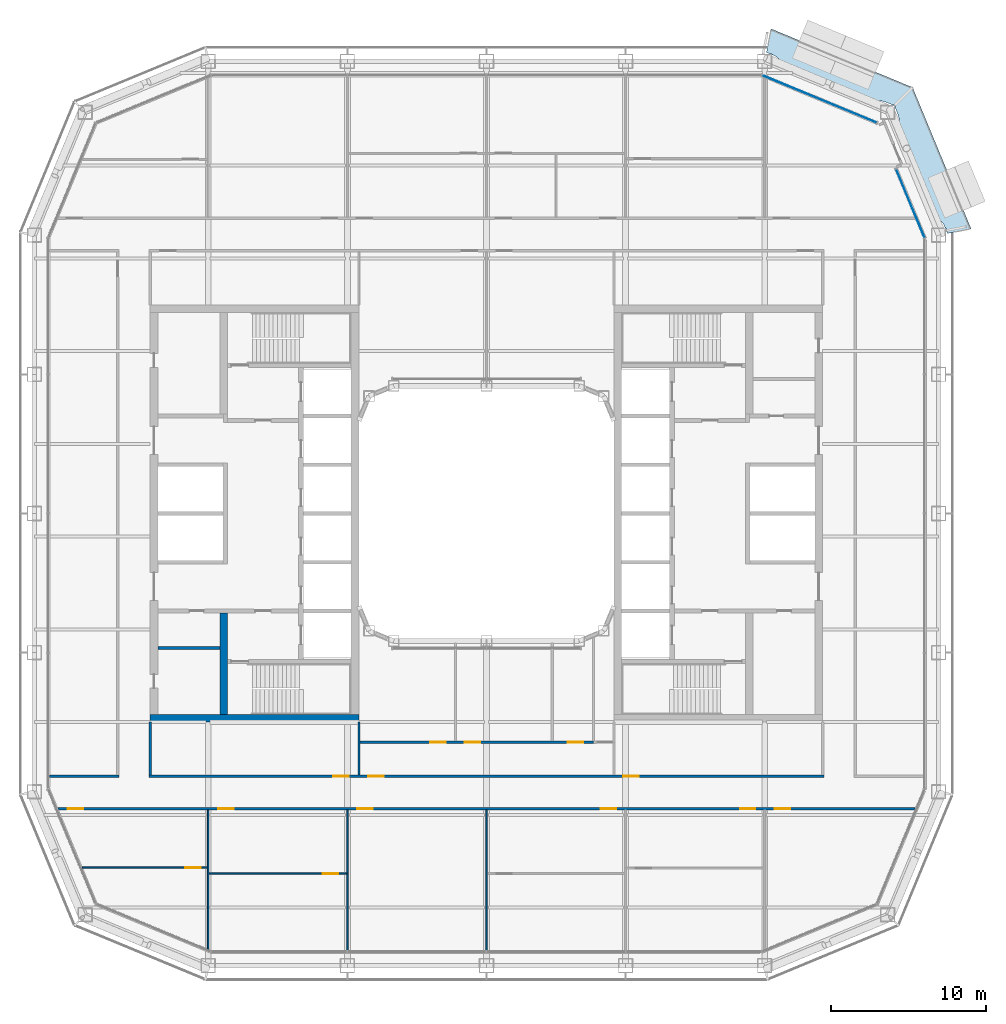
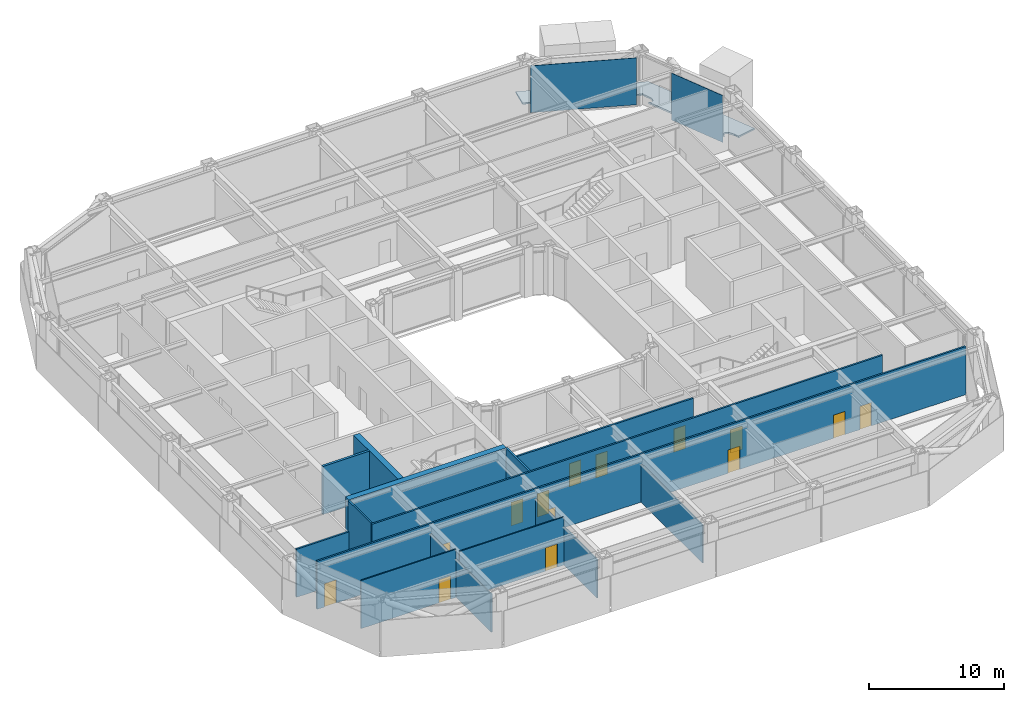
# One storey, part 11 of 24: 14 doors, 14 walls, 2 plates, 1 slab, 14 openings, 2 elements without a shape of their own.
"""IFC4 building model written with IfcOpenShell, lengths in metres."""

import ifcopenshell
import ifcopenshell.guid

model = None  # the IFC model being written
_history = None  # IfcOwnerHistory: only IFC2X3 demands one
_inside = {}  # id of a spatial element -> (the spatial element, [elements in it])
_under = {}  # id of a project, library or spatial element -> (it, [spatial elements below it])
_declared = {}  # id of a project -> (the project, [libraries it declares])
_typed = {}  # id of a type object -> (the type object, [elements of that type])
_made_of = {}  # id of a material, layer set ... -> (it, [elements and type objects made of it])


def new_model(schema):
    """Start an empty IFC model of exactly this schema.

    Asked for "IFC4X3", IfcOpenShell would pick the latest addendum, in which some entities
    have other attributes; the version numbers below select the first issue.
    IFC2X3 requires an IfcOwnerHistory on every rooted entity: one is made here for all.
    """
    global model, _history
    if schema == "IFC4X3":
        model = ifcopenshell.file(schema_version=(4, 3, 0, 0))
    else:
        model = ifcopenshell.file(schema=schema)
    _inside.clear()
    _under.clear()
    _declared.clear()
    _typed.clear()
    _made_of.clear()
    _history = None
    if model.schema == "IFC2X3":
        org = make("IfcOrganization", Name="unknown")
        user = make(
            "IfcPersonAndOrganization",
            ThePerson=make("IfcPerson", FamilyName="unknown"),
            TheOrganization=org,
        )
        app = make(
            "IfcApplication",
            ApplicationDeveloper=org,
            Version="unknown",
            ApplicationFullName="unknown",
            ApplicationIdentifier="unknown",
        )
        _history = make(
            "IfcOwnerHistory",
            OwningUser=user,
            OwningApplication=app,
            ChangeAction="ADDED",
            CreationDate=0,
        )
    return model


def make(cls, **values):
    """One entity of the class cls with the attributes given. An attribute that is None is left unset."""
    return model.create_entity(
        cls, **{name: value for name, value in values.items() if value is not None}
    )


def rooted(cls, **values):
    """An entity with a GlobalId (a new one), such as an element, a storey or a relation."""
    return make(cls, GlobalId=ifcopenshell.guid.new(), OwnerHistory=_history, **values)


def si_unit(unit_type, name, prefix=None):
    """IfcSIUnit, for example si_unit("LENGTHUNIT", "METRE", prefix="MILLI")."""
    return make("IfcSIUnit", UnitType=unit_type, Prefix=prefix, Name=name)


def assignment(units):
    """IfcUnitAssignment: the units of a project."""
    return None if units is None else make("IfcUnitAssignment", Units=units)


def point(xyz):
    """IfcCartesianPoint."""
    return None if xyz is None else make("IfcCartesianPoint", Coordinates=xyz)


def direction(xyz):
    """IfcDirection."""
    return None if xyz is None else make("IfcDirection", DirectionRatios=xyz)


def frame(location, z_axis=None, x_axis=None):
    """IfcAxis2Placement3D, a coordinate frame: its origin and axes. An axis left out is left unset."""
    return make(
        "IfcAxis2Placement3D",
        Location=point(location),
        Axis=direction(z_axis),
        RefDirection=direction(x_axis),
    )


def frame_2d(location, x_axis=None):
    """IfcAxis2Placement2D, a coordinate frame in the plane: its origin and x axis."""
    return make(
        "IfcAxis2Placement2D", Location=point(location), RefDirection=direction(x_axis)
    )


def origin():
    """The frame at (0, 0, 0) with its axes left unset."""
    return frame((0.0, 0.0, 0.0))


def origin_2d():
    """The frame at (0, 0) in the plane with its x axis left unset."""
    return frame_2d((0.0, 0.0))


def place(relative_to, where):
    """IfcLocalPlacement: puts the frame where relative to a parent placement (None: the world)."""
    return make(
        "IfcLocalPlacement", PlacementRelTo=relative_to, RelativePlacement=where
    )


def context(
    kind, dimensions, precision=None, world=None, true_north=None, identifier=None
):
    """IfcGeometricRepresentationContext, for example the 3D "Model" context."""
    return make(
        "IfcGeometricRepresentationContext",
        ContextIdentifier=identifier,
        ContextType=kind,
        CoordinateSpaceDimension=dimensions,
        Precision=precision,
        WorldCoordinateSystem=world,
        TrueNorth=true_north,
    )


def subcontext(parent, identifier, kind, view, scale=None):
    """IfcGeometricRepresentationSubContext, for example "Body" below "Model"."""
    return make(
        "IfcGeometricRepresentationSubContext",
        ContextIdentifier=identifier,
        ContextType=kind,
        ParentContext=parent,
        TargetScale=scale,
        TargetView=view,
    )


def project(units=None, contexts=None):
    """IfcProject with its units and contexts."""
    return rooted(
        "IfcProject",
        Name="project",
        RepresentationContexts=contexts,
        UnitsInContext=assignment(units),
    )


def spatial(cls, under=None, at=None, **own):
    """A site, building, storey or space (cls), placed at a placement, below another one or the project."""
    s = rooted(cls, ObjectPlacement=at, **own)
    if under is not None:
        _under.setdefault(under.id(), (under, []))[1].append(s)
    return s


def polyline(points):
    """IfcPolyline through the points."""
    return make("IfcPolyline", Points=[point(p) for p in points])


def profile(cls, at=None, kind="AREA", **sizes):
    """A parametric profile (cls). Its sizes go by their IFC names, for example OverallWidth=200.0."""
    return make(cls, ProfileType=kind, Position=at, **sizes)


def rectangle(**sizes):
    """IfcRectangleProfileDef."""
    return profile("IfcRectangleProfileDef", **sizes)


def outline(outer, holes=None, kind="AREA"):
    """IfcArbitraryClosedProfileDef: a profile drawn as a closed curve; with holes, ...WithVoids."""
    if holes is None:
        return make("IfcArbitraryClosedProfileDef", ProfileType=kind, OuterCurve=outer)
    return make(
        "IfcArbitraryProfileDefWithVoids",
        ProfileType=kind,
        OuterCurve=outer,
        InnerCurves=holes,
    )


def extrude(swept, where, along, depth):
    """IfcExtrudedAreaSolid: the profile swept, set in the frame where, extruded along a direction by depth."""
    return make(
        "IfcExtrudedAreaSolid",
        SweptArea=swept,
        Position=where,
        ExtrudedDirection=direction(along),
        Depth=depth,
    )


def shape(context_of_items, identifier, shape_type, items):
    """IfcShapeRepresentation: the items that make up one representation, for example the "Body"."""
    return make(
        "IfcShapeRepresentation",
        ContextOfItems=context_of_items,
        RepresentationIdentifier=identifier,
        RepresentationType=shape_type,
        Items=items,
    )


def material(Name=None, Category=None):
    """IfcMaterial."""
    return make("IfcMaterial", Name=Name, Category=Category)


def layer(
    of_material, thickness, ventilated=None, Name=None, Category=None, Priority=None
):
    """IfcMaterialLayer: one layer of a wall or slab, of a material (None: an air gap)."""
    return make(
        "IfcMaterialLayer",
        Material=of_material,
        LayerThickness=thickness,
        IsVentilated=ventilated,
        Name=Name,
        Category=Category,
        Priority=Priority,
    )


def layer_set(layers, Name=None):
    """IfcMaterialLayerSet."""
    return make("IfcMaterialLayerSet", MaterialLayers=layers, LayerSetName=Name)


def made_of(thing, what):
    """Note that an element or type object is made of a material, layer set ...; save() writes the relation."""
    if what is not None:
        _made_of.setdefault(what.id(), (what, []))[1].append(thing)
    return thing


def type_object(cls, material=None, **own):
    """A type object (cls), such as IfcWallType, which elements share."""
    return made_of(rooted(cls, **own), material)


def element(
    cls,
    number,
    at=None,
    inside=None,
    cuts=None,
    type_object=None,
    material=None,
    context=None,
    identifier="Body",
    shape_type=None,
    held_by="IfcProductDefinitionShape",
    body=None,
    shapes=None,
    **own,
):
    """One element of the class cls, such as IfcWall. Its Tag is "e" and its number.

    at: its placement. inside: the storey or other place that contains it. cuts: it is an
    opening in that element (IfcRelVoidsElement). A single representation is given by context,
    identifier, shape_type and body (its items); several are given by shapes. held_by: the class
    of the entity that holds the representations. save() writes the other relations.
    """
    e = rooted(cls, Tag="e%d" % number, ObjectPlacement=at, **own)
    if body is not None:
        shapes = [shape(context, identifier, shape_type, body)]
    if shapes is not None:
        e.Representation = make(held_by, Representations=shapes)
    if inside is not None:
        _inside.setdefault(inside.id(), (inside, []))[1].append(e)
    if cuts is not None:
        rooted(
            "IfcRelVoidsElement", RelatingBuildingElement=cuts, RelatedOpeningElement=e
        )
    if type_object is not None:
        _typed.setdefault(type_object.id(), (type_object, []))[1].append(e)
    return made_of(e, material)


def fill(opening, filler):
    """IfcRelFillsElement: the door or window that sits in an opening."""
    return rooted(
        "IfcRelFillsElement",
        RelatingOpeningElement=opening,
        RelatedBuildingElement=filler,
    )


def aggregate(whole, parts):
    """IfcRelAggregates: a whole, such as a stair, and the parts it consists of."""
    return rooted("IfcRelAggregates", RelatingObject=whole, RelatedObjects=parts)


def save(model, path):
    """Write the relations noted so far, then the file.

    IfcRelAggregates (storeys below a building ...), IfcRelContainedInSpatialStructure (elements
    in a storey), IfcRelDefinesByType, IfcRelAssociatesMaterial and IfcRelDeclares: one each for
    every whole, place, type object, material and project.
    """
    for whole, parts in _under.values():
        aggregate(whole, parts)
    for where, things in _inside.values():
        rooted(
            "IfcRelContainedInSpatialStructure",
            RelatedElements=things,
            RelatingStructure=where,
        )
    for kind, things in _typed.values():
        rooted("IfcRelDefinesByType", RelatedObjects=things, RelatingType=kind)
    for what, things in _made_of.values():
        rooted("IfcRelAssociatesMaterial", RelatedObjects=things, RelatingMaterial=what)
    for by, libraries in _declared.values():
        rooted("IfcRelDeclares", RelatingContext=by, RelatedDefinitions=libraries)
    model.write(path)


model = new_model("IFC4")

# Units and contexts
model_context = context("Model", 3, precision=1e-05, world=origin(), true_north=direction((0.0, 1.0)))
body_context = subcontext(model_context, "Body", "Model", "MODEL_VIEW")
ifc_project = project(units=[si_unit("LENGTHUNIT", "METRE"), si_unit("AREAUNIT", "SQUARE_METRE"), si_unit("VOLUMEUNIT", "CUBIC_METRE"), si_unit("PLANEANGLEUNIT", "RADIAN"), si_unit("MASSUNIT", "GRAM", prefix="KILO")], contexts=[model_context])

# Site, building, storey
site_placement = place(None, origin())
site = spatial("IfcSite", under=ifc_project, at=site_placement, CompositionType="ELEMENT")
building_placement = place(site_placement, origin())
building = spatial("IfcBuilding", under=site, at=building_placement, Name="Siwar Civic Tower", CompositionType="ELEMENT")
storey_placement = place(building_placement, frame((0.0, 0.0, 113.699951171875)))
storey = spatial("IfcBuildingStorey", under=building, at=storey_placement, Name="L24", CompositionType="ELEMENT", Elevation=113.699951171875)

# Slab
ifc_material_1 = material(Name="Concrete C40/50", Category="concrete")
ifc_layer_1 = layer(ifc_material_1, 0.14990234375)
ifc_layer_set_1 = layer_set([ifc_layer_1], Name="Concrete C40/50")
slab_type = type_object("IfcSlabType", Name="ENV-BALCONY DECK 150", PredefinedType="FLOOR", material=ifc_layer_set_1)
slab_placement = place(storey_placement, frame((0.0, 0.0, -0.1494140625)))
element("IfcSlab", 1, at=slab_placement, inside=storey, type_object=slab_type, Name="Tree balcony deck NE", PredefinedType="FLOOR", context=body_context, shape_type="SweptSolid", body=[
    extrude(outline(polyline([(26.43310546875, 26.263427734375), (26.435546875, 26.258056640625), (26.435546875, 26.258056640625), (26.4423828125, 26.24169921875), (26.575439453125, 25.921875), (26.585693359375, 25.897216796875), (26.589111328125, 25.88916015625), (26.58984375, 25.88720703125), (26.617431640625, 25.81494140625), (26.619140625, 25.81005859375), (26.639404296875, 25.74462890625), (26.640625, 25.740234375), (26.65673828125, 25.673583984375), (26.65771484375, 25.669189453125), (26.669921875, 25.601806640625), (26.67041015625, 25.59765625), (26.6787109375, 25.529541015625), (26.67919921875, 25.523681640625), (26.67919921875, 25.517578125), (26.6748046875, 25.406005859375), (26.674072265625, 25.397216796875), (26.672119140625, 25.388671875), (26.66015625, 25.345703125), (26.65869140625, 25.34130859375), (26.64404296875, 25.299072265625), (26.640869140625, 25.29150390625), (26.63720703125, 25.284423828125), (26.61669921875, 25.251220703125), (26.614501953125, 25.247802734375), (26.59228515625, 25.216064453125), (26.58740234375, 25.209716796875), (26.581787109375, 25.203857421875), (26.575439453125, 25.19873046875), (26.56884765625, 25.1943359375), (26.561767578125, 25.190673828125), (26.531494140625, 25.177001953125), (26.52734375, 25.17529296875), (26.496337890625, 25.16357421875), (26.488525390625, 25.1611328125), (26.480712890625, 25.159423828125), (26.47265625, 25.15869140625), (26.464599609375, 25.15869140625), (26.456787109375, 25.15966796875), (26.418701171875, 25.166259765625), (26.41455078125, 25.167236328125), (26.376708984375, 25.176025390625), (26.368896484375, 25.17822265625), (26.361328125, 25.181396484375), (26.321044921875, 25.20068359375), (26.31689453125, 25.202880859375), (26.27783203125, 25.224609375), (26.2705078125, 25.2294921875), (26.263671875, 25.23486328125), (26.246826171875, 25.25048828125), (28.949951171875, 18.724609375), (28.951904296875, 18.77490234375), (28.95263671875, 18.783447265625), (28.95458984375, 18.7919921875), (28.966552734375, 18.835205078125), (28.968017578125, 18.839599609375), (28.982666015625, 18.8818359375), (28.98583984375, 18.889404296875), (28.98974609375, 18.896484375), (29.010009765625, 18.9296875), (29.013916015625, 18.935302734375), (29.018310546875, 18.940673828125), (29.023193359375, 18.945556640625), (29.048583984375, 18.968994140625), (29.052001953125, 18.971923828125), (29.078857421875, 18.99365234375), (29.084716796875, 18.998046875), (29.0908203125, 19.001708984375), (29.097412109375, 19.0048828125), (29.104248046875, 19.00732421875), (29.111083984375, 19.009033203125), (29.118408203125, 19.01025390625), (29.15283203125, 19.013671875), (29.1572265625, 19.01416015625), (29.19189453125, 19.015625), (29.19873046875, 19.015625), (29.20556640625, 19.01513671875), (29.21240234375, 19.013671875), (29.25, 19.0048828125), (29.2578125, 19.002685546875), (29.265380859375, 18.99951171875), (29.305908203125, 18.980224609375), (29.309814453125, 18.97802734375), (29.348876953125, 18.956298828125), (29.356201171875, 18.951416015625), (29.363037109375, 18.946044921875), (29.4453125, 18.870361328125), (29.44970703125, 18.865966796875), (29.453369140625, 18.861572265625), (29.495849609375, 18.8076171875), (29.498291015625, 18.80419921875), (29.53759765625, 18.748046875), (29.5400390625, 18.744384765625), (29.575927734375, 18.68603515625), (29.578369140625, 18.681884765625), (29.610595703125, 18.62158203125), (29.61279296875, 18.616943359375), (29.64453125, 18.54638671875), (29.645263671875, 18.54443359375), (29.665771484375, 18.4951171875), (29.674072265625, 18.47509765625), (29.72509765625, 18.47509765625), (29.72509765625, 18.352783203125), (29.740966796875, 18.314697265625), (29.775146484375, 18.232666015625), (29.788818359375, 18.19970703125), (29.798828125, 18.175048828125), (29.798828125, 18.175048828125), (29.8017578125, 18.16748046875), (29.807373046875, 18.148193359375), (29.80908203125, 18.140625), (29.81005859375, 18.1328125), (29.8115234375, 18.1123046875), (29.8115234375, 18.11181640625), (31.35009765625, 18.417724609375), (27.562255859375, 27.562255859375), (18.417724609375, 31.35009765625), (18.111083984375, 29.80810546875), (18.114013671875, 29.808349609375), (18.13037109375, 29.80859375), (18.136962890625, 29.808349609375), (18.1435546875, 29.8076171875), (18.150146484375, 29.80615234375), (18.1650390625, 29.80224609375), (18.175048828125, 29.798828125), (18.19970703125, 29.788818359375), (18.279052734375, 29.755615234375), (18.314697265625, 29.740966796875), (18.352783203125, 29.72509765625), (18.47509765625, 29.72509765625), (18.47509765625, 29.674072265625), (18.4951171875, 29.665771484375), (18.54443359375, 29.645263671875), (18.54638671875, 29.64453125), (18.616943359375, 29.61279296875), (18.62158203125, 29.610595703125), (18.681884765625, 29.578369140625), (18.68603515625, 29.575927734375), (18.744384765625, 29.5400390625), (18.748046875, 29.53759765625), (18.80419921875, 29.498291015625), (18.8076171875, 29.495849609375), (18.861572265625, 29.453369140625), (18.865966796875, 29.44970703125), (18.870361328125, 29.4453125), (18.946044921875, 29.363037109375), (18.951416015625, 29.356201171875), (18.956298828125, 29.348876953125), (18.97802734375, 29.309814453125), (18.980224609375, 29.305908203125), (18.99951171875, 29.265380859375), (19.002685546875, 29.2578125), (19.0048828125, 29.25), (19.013671875, 29.21240234375), (19.01513671875, 29.20556640625), (19.015625, 29.19873046875), (19.015625, 29.19189453125), (19.01416015625, 29.1572265625), (19.013671875, 29.15283203125), (19.01025390625, 29.118408203125), (19.009033203125, 29.111083984375), (19.00732421875, 29.104248046875), (19.0048828125, 29.097412109375), (19.001708984375, 29.0908203125), (18.998046875, 29.084716796875), (18.99365234375, 29.078857421875), (18.971923828125, 29.052001953125), (18.968994140625, 29.048583984375), (18.945556640625, 29.023193359375), (18.940673828125, 29.018310546875), (18.935302734375, 29.013916015625), (18.9296875, 29.010009765625), (18.896484375, 28.98974609375), (18.889404296875, 28.98583984375), (18.8818359375, 28.982666015625), (18.839599609375, 28.968017578125), (18.835205078125, 28.966552734375), (18.7919921875, 28.95458984375), (18.783447265625, 28.95263671875), (18.77490234375, 28.951904296875), (18.724609375, 28.949951171875), (25.25048828125, 26.246826171875), (25.23486328125, 26.263671875), (25.2294921875, 26.2705078125), (25.224609375, 26.27783203125), (25.202880859375, 26.31689453125), (25.20068359375, 26.321044921875), (25.181396484375, 26.361328125), (25.17822265625, 26.368896484375), (25.176025390625, 26.376708984375), (25.167236328125, 26.41455078125), (25.166259765625, 26.418701171875), (25.15966796875, 26.456787109375), (25.15869140625, 26.464599609375), (25.15869140625, 26.47265625), (25.159423828125, 26.480712890625), (25.1611328125, 26.488525390625), (25.16357421875, 26.496337890625), (25.17529296875, 26.52734375), (25.177001953125, 26.531494140625), (25.190673828125, 26.561767578125), (25.1943359375, 26.56884765625), (25.19873046875, 26.575439453125), (25.203857421875, 26.581787109375), (25.209716796875, 26.58740234375), (25.216064453125, 26.59228515625), (25.247802734375, 26.614501953125), (25.251220703125, 26.61669921875), (25.284423828125, 26.63720703125), (25.29150390625, 26.640869140625), (25.299072265625, 26.64404296875), (25.34130859375, 26.65869140625), (25.345703125, 26.66015625), (25.388671875, 26.672119140625), (25.397216796875, 26.674072265625), (25.406005859375, 26.6748046875), (25.517578125, 26.67919921875), (25.523681640625, 26.67919921875), (25.529541015625, 26.6787109375), (25.59765625, 26.67041015625), (25.601806640625, 26.669921875), (25.669189453125, 26.65771484375), (25.673583984375, 26.65673828125), (25.740234375, 26.640625), (25.74462890625, 26.639404296875), (25.81005859375, 26.619140625), (25.81494140625, 26.617431640625), (25.88720703125, 26.58984375), (25.88916015625, 26.589111328125), (25.897216796875, 26.585693359375), (25.921875, 26.575439453125), (26.24169921875, 26.4423828125), (26.258056640625, 26.435546875), (26.267578125, 26.4306640625), (26.268798828125, 26.429931640625), (26.429931640625, 26.429931640625), (26.429931640625, 26.26953125), (26.43310546875, 26.263427734375)])), origin(), (0.0, 0.0, 1.0), 0.1494140625),
])

# Curtain wall, plate
ifc_material_2 = material(Name="Aluminium clad insulated panel", Category="aluminium")
ifc_layer_2 = layer(ifc_material_2, 0.199951171875)
ifc_layer_set_2 = layer_set([ifc_layer_2], Name="Aluminium clad insulated panel")
curtain_wall_type = type_object("IfcCurtainWallType", Name="ENV-CW-BX", PredefinedType="NOTDEFINED", material=ifc_layer_set_2)
curtain_wall_1_placement = place(storey_placement, origin())
curtain_wall_1 = element("IfcCurtainWall", 2, at=curtain_wall_1_placement, inside=storey, type_object=curtain_wall_type, Name="Curtain wall B NE1", PredefinedType="NOTDEFINED")
ifc_material_3 = material(Name="Aluminium clad insulated panel", Category="aluminium")
ifc_layer_3 = layer(ifc_material_3, 0.033935546875)
ifc_layer_set_3 = layer_set([ifc_layer_3], Name="Aluminium clad insulated panel")
plate_type = type_object("IfcPlateType", Name="ENV-PANEL-BX", PredefinedType="CURTAIN_PANEL", material=ifc_layer_set_3)
plate_1_placement = place(storey_placement, frame((27.422607421875, 20.06005859375, 0.10986328125), z_axis=(0.0, 0.0, 1.0), x_axis=(-0.382683432365, 0.923879532511, 0.0)))
plate_1 = element("IfcPlate", 3, at=plate_1_placement, type_object=plate_type, Name="Curtain panel B NE1 1", PredefinedType="CURTAIN_PANEL", context=body_context, shape_type="SweptSolid", body=[
    extrude(rectangle(XDim=4.7822265625, YDim=0.033935546875, at=origin_2d()), origin(), (0.0, 0.0, 1.0), 4.239990234375),
])
aggregate(curtain_wall_1, [plate_1])

curtain_wall_2_placement = place(storey_placement, origin())
curtain_wall_2 = element("IfcCurtainWall", 4, at=curtain_wall_2_placement, inside=storey, type_object=curtain_wall_type, Name="Curtain wall B NE2", PredefinedType="NOTDEFINED")
plate_2_placement = place(storey_placement, frame((21.5810546875, 26.79248046875, 0.10986328125), z_axis=(0.0, 0.0, 1.0), x_axis=(-0.923879532511, 0.382683432365, 0.0)))
plate_2 = element("IfcPlate", 5, at=plate_2_placement, type_object=plate_type, Name="Curtain panel B NE2 1", PredefinedType="CURTAIN_PANEL", context=body_context, shape_type="SweptSolid", body=[
    extrude(rectangle(XDim=7.912353515625, YDim=0.033935546875, at=origin_2d()), origin(), (0.0, 0.0, 1.0), 4.239990234375),
])
aggregate(curtain_wall_2, [plate_2])

# Walls
ifc_material_4 = material(Name="Gypsum board on steel studs", Category="steel")
ifc_layer_4 = layer(ifc_material_4, 0.199951171875)
ifc_layer_set_4 = layer_set([ifc_layer_4], Name="Gypsum board on steel studs")
wall_type_1 = type_object("IfcWallType", Name="CORE-PARTITION-200", PredefinedType="PARTITIONING", material=ifc_layer_set_4)
wall_1_placement = place(storey_placement, frame((-17.25, -8.699951171875, 0.0), z_axis=(0.0, 0.0, 1.0), x_axis=(-1.0, 0.0, 0.0)))
element("IfcWall", 6, at=wall_1_placement, inside=storey, type_object=wall_type_1, Name="Core partition W", PredefinedType="PARTITIONING", context=body_context, shape_type="SweptSolid", body=[
    extrude(rectangle(XDim=4.0, YDim=0.199951171875, at=frame_2d((2.0, 0.0))), origin(), (0.0, 0.0, 1.0), 4.35009765625),
])
ifc_material_5 = material(Name="Concrete C60/75", Category="concrete")
ifc_layer_5 = layer(ifc_material_5, 0.5)
ifc_layer_set_5 = layer_set([ifc_layer_5], Name="Concrete C60/75")
wall_type_2 = type_object("IfcWallType", Name="CORE-WALL-RC500", PredefinedType="SHEAR", material=ifc_layer_set_5)
wall_2_placement = place(storey_placement, frame((-17.0, -13.0, 0.0), z_axis=(0.0, 0.0, 1.0), x_axis=(0.0, 1.0, 0.0)))
element("IfcWall", 7, at=wall_2_placement, inside=storey, type_object=wall_type_2, Name="Core wall W", PredefinedType="SHEAR", context=body_context, shape_type="SweptSolid", body=[
    extrude(rectangle(XDim=6.574951171875, YDim=0.5, at=frame_2d((3.28759765625, 0.0))), origin(), (0.0, 0.0, 1.0), 4.35009765625),
])
wall_3_placement = place(storey_placement, frame((-8.25, -13.25, 0.0), z_axis=(0.0, 0.0, 1.0), x_axis=(-1.0, 0.0, 0.0)))
element("IfcWall", 8, at=wall_3_placement, inside=storey, type_object=wall_type_2, Name="Core wall W", PredefinedType="SHEAR", context=body_context, shape_type="SweptSolid", body=[
    extrude(rectangle(XDim=13.5, YDim=0.5, at=frame_2d((6.75, 0.0))), origin(), (0.0, 0.0, 1.0), 4.35009765625),
])

# Wall, openings, doors
ifc_material_6 = material(Name="Gypsum board on steel studs", Category="steel")
ifc_layer_6 = layer(ifc_material_6, 0.14990234375)
ifc_layer_set_6 = layer_set([ifc_layer_6], Name="Gypsum board on steel studs")
wall_type_3 = type_object("IfcWallType", Name="CORRIDOR PARTITION 150 EI 30", PredefinedType="PARTITIONING", material=ifc_layer_set_6)
wall_4_placement = place(storey_placement, frame((-27.722900390625, -19.10009765625, 0.0), z_axis=(0.0, 0.0, 1.0), x_axis=(1.0, 0.0, 0.0)))
wall_4 = element("IfcWall", 9, at=wall_4_placement, inside=storey, type_object=wall_type_3, Name="L24/wall/P05", PredefinedType="PARTITIONING", context=body_context, shape_type="SweptSolid", body=[
    extrude(rectangle(XDim=55.44580078125, YDim=0.14990234375, at=frame_2d((27.722900390625, 0.0))), origin(), (0.0, 0.0, 1.0), 4.35009765625),
])
opening_1_placement = place(wall_4_placement, frame((10.373046875, 0.0, 0.0)))
opening_1 = element("IfcOpeningElement", 10, at=opening_1_placement, cuts=wall_4, Name="Opening D1", PredefinedType="OPENING", context=body_context, shape_type="SweptSolid", body=[
    extrude(rectangle(XDim=1.0, YDim=2.10009765625, at=frame_2d((0.5, 1.050048828125))), frame((0.0, 0.0849609375, 0.0), z_axis=(0.0, -1.0, 0.0), x_axis=(1.0, 0.0, 0.0)), (0.0, 0.0, 1.0), 0.169921875),
])
opening_2_placement = place(wall_4_placement, frame((19.373046875, 0.0, 0.0)))
opening_2 = element("IfcOpeningElement", 11, at=opening_2_placement, cuts=wall_4, Name="Opening D1", PredefinedType="OPENING", context=body_context, shape_type="SweptSolid", body=[
    extrude(rectangle(XDim=1.0, YDim=2.10009765625, at=frame_2d((0.5, 1.050048828125))), frame((0.0, 0.0849609375, 0.0), z_axis=(0.0, -1.0, 0.0), x_axis=(1.0, 0.0, 0.0)), (0.0, 0.0, 1.0), 0.169921875),
])
opening_3_placement = place(wall_4_placement, frame((35.123046875, 0.0, 0.0)))
opening_3 = element("IfcOpeningElement", 12, at=opening_3_placement, cuts=wall_4, Name="Opening D1", PredefinedType="OPENING", context=body_context, shape_type="SweptSolid", body=[
    extrude(rectangle(XDim=1.0, YDim=2.10009765625, at=frame_2d((0.5, 1.050048828125))), frame((0.0, 0.0849609375, 0.0), z_axis=(0.0, -1.0, 0.0), x_axis=(1.0, 0.0, 0.0)), (0.0, 0.0, 1.0), 0.169921875),
])
opening_4_placement = place(wall_4_placement, frame((44.123046875, 0.0, 0.0)))
opening_4 = element("IfcOpeningElement", 13, at=opening_4_placement, cuts=wall_4, Name="Opening D1", PredefinedType="OPENING", context=body_context, shape_type="SweptSolid", body=[
    extrude(rectangle(XDim=1.0, YDim=2.10009765625, at=frame_2d((0.5, 1.050048828125))), frame((0.0, 0.0849609375, 0.0), z_axis=(0.0, -1.0, 0.0), x_axis=(1.0, 0.0, 0.0)), (0.0, 0.0, 1.0), 0.169921875),
])
opening_5_placement = place(wall_4_placement, frame((0.64990234375, 0.0, 0.0)))
opening_5 = element("IfcOpeningElement", 14, at=opening_5_placement, cuts=wall_4, Name="Opening D1", PredefinedType="OPENING", context=body_context, shape_type="SweptSolid", body=[
    extrude(rectangle(XDim=1.0, YDim=2.10009765625, at=frame_2d((0.5, 1.050048828125))), frame((0.0, 0.0849609375, 0.0), z_axis=(0.0, -1.0, 0.0), x_axis=(1.0, 0.0, 0.0)), (0.0, 0.0, 1.0), 0.169921875),
])
opening_6_placement = place(wall_4_placement, frame((46.373046875, 0.0, 0.0)))
opening_6 = element("IfcOpeningElement", 15, at=opening_6_placement, cuts=wall_4, Name="Opening D1", PredefinedType="OPENING", context=body_context, shape_type="SweptSolid", body=[
    extrude(rectangle(XDim=1.0, YDim=2.10009765625, at=frame_2d((0.5, 1.050048828125))), frame((0.0, 0.0849609375, 0.0), z_axis=(0.0, -1.0, 0.0), x_axis=(1.0, 0.0, 0.0)), (0.0, 0.0, 1.0), 0.169921875),
])
ifc_material_7 = material(Name="Timber, painted", Category="wood")
door_type_1 = type_object("IfcDoorType", Name="DOOR 1000 X 2100 FD30", OperationType="SINGLE_SWING_LEFT", PredefinedType="DOOR", material=ifc_material_7)
door_1_placement = place(opening_1_placement, origin())
door_1 = element("IfcDoor", 16, at=door_1_placement, inside=storey, type_object=door_type_1, Name="L24-D09", OperationType="SINGLE_SWING_LEFT", OverallHeight=2.10009765625, OverallWidth=1.0, PredefinedType="DOOR", context=body_context, shape_type="SweptSolid", body=[
    extrude(rectangle(XDim=1.0, YDim=2.10009765625, at=frame_2d((0.5, 1.050048828125))), frame((0.0, 0.02490234375, 0.0), z_axis=(0.0, -1.0, 0.0), x_axis=(1.0, 0.0, 0.0)), (0.0, 0.0, 1.0), 0.050048828125),
])
fill(opening_1, door_1)
door_2_placement = place(opening_2_placement, origin())
door_2 = element("IfcDoor", 17, at=door_2_placement, inside=storey, type_object=door_type_1, Name="L24-D11", OperationType="SINGLE_SWING_LEFT", OverallHeight=2.10009765625, OverallWidth=1.0, PredefinedType="DOOR", context=body_context, shape_type="SweptSolid", body=[
    extrude(rectangle(XDim=1.0, YDim=2.10009765625, at=frame_2d((0.5, 1.050048828125))), frame((0.0, 0.02490234375, 0.0), z_axis=(0.0, -1.0, 0.0), x_axis=(1.0, 0.0, 0.0)), (0.0, 0.0, 1.0), 0.050048828125),
])
fill(opening_2, door_2)
door_3_placement = place(opening_3_placement, origin())
door_3 = element("IfcDoor", 18, at=door_3_placement, inside=storey, type_object=door_type_1, Name="L24-D12", OperationType="SINGLE_SWING_RIGHT", OverallHeight=2.10009765625, OverallWidth=1.0, PredefinedType="DOOR", context=body_context, shape_type="SweptSolid", body=[
    extrude(rectangle(XDim=1.0, YDim=2.10009765625, at=frame_2d((0.5, 1.050048828125))), frame((0.0, 0.02490234375, 0.0), z_axis=(0.0, -1.0, 0.0), x_axis=(1.0, 0.0, 0.0)), (0.0, 0.0, 1.0), 0.050048828125),
])
fill(opening_3, door_3)
door_4_placement = place(opening_4_placement, origin())
door_4 = element("IfcDoor", 19, at=door_4_placement, inside=storey, type_object=door_type_1, Name="L24-D14", OperationType="SINGLE_SWING_RIGHT", OverallHeight=2.10009765625, OverallWidth=1.0, PredefinedType="DOOR", context=body_context, shape_type="SweptSolid", body=[
    extrude(rectangle(XDim=1.0, YDim=2.10009765625, at=frame_2d((0.5, 1.050048828125))), frame((0.0, 0.02490234375, 0.0), z_axis=(0.0, -1.0, 0.0), x_axis=(1.0, 0.0, 0.0)), (0.0, 0.0, 1.0), 0.050048828125),
])
fill(opening_4, door_4)
door_5_placement = place(opening_5_placement, origin())
door_5 = element("IfcDoor", 20, at=door_5_placement, inside=storey, type_object=door_type_1, Name="L24-D19", OperationType="SINGLE_SWING_LEFT", OverallHeight=2.10009765625, OverallWidth=1.0, PredefinedType="DOOR", context=body_context, shape_type="SweptSolid", body=[
    extrude(rectangle(XDim=1.0, YDim=2.10009765625, at=frame_2d((0.5, 1.050048828125))), frame((0.0, 0.02490234375, 0.0), z_axis=(0.0, -1.0, 0.0), x_axis=(1.0, 0.0, 0.0)), (0.0, 0.0, 1.0), 0.050048828125),
])
fill(opening_5, door_5)
door_6_placement = place(opening_6_placement, origin())
door_6 = element("IfcDoor", 21, at=door_6_placement, inside=storey, type_object=door_type_1, Name="L24-D21", OperationType="SINGLE_SWING_LEFT", OverallHeight=2.10009765625, OverallWidth=1.0, PredefinedType="DOOR", context=body_context, shape_type="SweptSolid", body=[
    extrude(rectangle(XDim=1.0, YDim=2.10009765625, at=frame_2d((0.5, 1.050048828125))), frame((0.0, 0.02490234375, 0.0), z_axis=(0.0, -1.0, 0.0), x_axis=(1.0, 0.0, 0.0)), (0.0, 0.0, 1.0), 0.050048828125),
])
fill(opening_6, door_6)

# Wall
wall_5_placement = place(storey_placement, frame((-28.260009765625, -17.0, 0.0), z_axis=(0.0, 0.0, 1.0), x_axis=(1.0, 0.0, 0.0)))
element("IfcWall", 22, at=wall_5_placement, inside=storey, type_object=wall_type_3, Name="L24/wall/P06", PredefinedType="PARTITIONING", context=body_context, shape_type="SweptSolid", body=[
    extrude(rectangle(XDim=4.485107421875, YDim=0.14990234375, at=frame_2d((2.24267578125, 0.0))), origin(), (0.0, 0.0, 1.0), 4.35009765625),
])

# Wall, openings, doors
wall_6_placement = place(storey_placement, frame((-21.824951171875, -17.0, 0.0), z_axis=(0.0, 0.0, 1.0), x_axis=(1.0, 0.0, 0.0)))
wall_6 = element("IfcWall", 23, at=wall_6_placement, inside=storey, type_object=wall_type_3, Name="L24/wall/P07", PredefinedType="PARTITIONING", context=body_context, shape_type="SweptSolid", body=[
    extrude(rectangle(XDim=43.64990234375, YDim=0.14990234375, at=frame_2d((21.824951171875, 0.0))), origin(), (0.0, 0.0, 1.0), 4.35009765625),
])
opening_7_placement = place(wall_6_placement, frame((14.175048828125, 0.0, 0.0)))
opening_7 = element("IfcOpeningElement", 24, at=opening_7_placement, cuts=wall_6, Name="Opening D1", PredefinedType="OPENING", context=body_context, shape_type="SweptSolid", body=[
    extrude(rectangle(XDim=1.0, YDim=2.10009765625, at=frame_2d((0.5, 1.050048828125))), frame((0.0, 0.0849609375, 0.0), z_axis=(0.0, -1.0, 0.0), x_axis=(1.0, 0.0, 0.0)), (0.0, 0.0, 1.0), 0.169921875),
])
opening_8_placement = place(wall_6_placement, frame((11.925048828125, 0.0, 0.0)))
opening_8 = element("IfcOpeningElement", 25, at=opening_8_placement, cuts=wall_6, Name="Opening D1", PredefinedType="OPENING", context=body_context, shape_type="SweptSolid", body=[
    extrude(rectangle(XDim=1.0, YDim=2.10009765625, at=frame_2d((0.5, 1.050048828125))), frame((0.0, 0.0849609375, 0.0), z_axis=(0.0, -1.0, 0.0), x_axis=(1.0, 0.0, 0.0)), (0.0, 0.0, 1.0), 0.169921875),
])
opening_9_placement = place(wall_6_placement, frame((30.675048828125, 0.0, 0.0)))
opening_9 = element("IfcOpeningElement", 26, at=opening_9_placement, cuts=wall_6, Name="Opening D1", PredefinedType="OPENING", context=body_context, shape_type="SweptSolid", body=[
    extrude(rectangle(XDim=1.0, YDim=2.10009765625, at=frame_2d((0.5, 1.050048828125))), frame((0.0, 0.0849609375, 0.0), z_axis=(0.0, -1.0, 0.0), x_axis=(1.0, 0.0, 0.0)), (0.0, 0.0, 1.0), 0.169921875),
])
door_7_placement = place(opening_7_placement, origin())
door_7 = element("IfcDoor", 27, at=door_7_placement, inside=storey, type_object=door_type_1, Name="L24-D24", OperationType="SINGLE_SWING_RIGHT", OverallHeight=2.10009765625, OverallWidth=1.0, PredefinedType="DOOR", context=body_context, shape_type="SweptSolid", body=[
    extrude(rectangle(XDim=1.0, YDim=2.10009765625, at=frame_2d((0.5, 1.050048828125))), frame((0.0, 0.02490234375, 0.0), z_axis=(0.0, -1.0, 0.0), x_axis=(1.0, 0.0, 0.0)), (0.0, 0.0, 1.0), 0.050048828125),
])
fill(opening_7, door_7)
door_8_placement = place(opening_8_placement, origin())
door_8 = element("IfcDoor", 28, at=door_8_placement, inside=storey, type_object=door_type_1, Name="L24-D31", OperationType="SINGLE_SWING_LEFT", OverallHeight=2.10009765625, OverallWidth=1.0, PredefinedType="DOOR", context=body_context, shape_type="SweptSolid", body=[
    extrude(rectangle(XDim=1.0, YDim=2.10009765625, at=frame_2d((0.5, 1.050048828125))), frame((0.0, 0.02490234375, 0.0), z_axis=(0.0, -1.0, 0.0), x_axis=(1.0, 0.0, 0.0)), (0.0, 0.0, 1.0), 0.050048828125),
])
fill(opening_8, door_8)
door_9_placement = place(opening_9_placement, origin())
door_9 = element("IfcDoor", 29, at=door_9_placement, inside=storey, type_object=door_type_1, Name="L24-D32", OperationType="SINGLE_SWING_RIGHT", OverallHeight=2.10009765625, OverallWidth=1.0, PredefinedType="DOOR", context=body_context, shape_type="SweptSolid", body=[
    extrude(rectangle(XDim=1.0, YDim=2.10009765625, at=frame_2d((0.5, 1.050048828125))), frame((0.0, 0.02490234375, 0.0), z_axis=(0.0, -1.0, 0.0), x_axis=(1.0, 0.0, 0.0)), (0.0, 0.0, 1.0), 0.050048828125),
])
fill(opening_9, door_9)

wall_7_placement = place(storey_placement, frame((-8.175048828125, -14.800048828125, 0.0), z_axis=(0.0, 0.0, 1.0), x_axis=(1.0, 0.0, 0.0)))
wall_7 = element("IfcWall", 30, at=wall_7_placement, inside=storey, type_object=wall_type_3, Name="L24/wall/P09", PredefinedType="PARTITIONING", context=body_context, shape_type="SweptSolid", body=[
    extrude(rectangle(XDim=15.094970703125, YDim=0.14990234375, at=frame_2d((7.54736328125, 0.0))), origin(), (0.0, 0.0, 1.0), 4.35009765625),
])
opening_10_placement = place(wall_7_placement, frame((4.52490234375, 0.0, 0.0)))
opening_10 = element("IfcOpeningElement", 31, at=opening_10_placement, cuts=wall_7, Name="Opening D3", PredefinedType="OPENING", context=body_context, shape_type="SweptSolid", body=[
    extrude(rectangle(XDim=1.0, YDim=2.10009765625, at=frame_2d((0.5, 1.050048828125))), frame((0.0, 0.0849609375, 0.0), z_axis=(0.0, -1.0, 0.0), x_axis=(1.0, 0.0, 0.0)), (0.0, 0.0, 1.0), 0.169921875),
])
opening_11_placement = place(wall_7_placement, frame((6.77490234375, 0.0, 0.0)))
opening_11 = element("IfcOpeningElement", 32, at=opening_11_placement, cuts=wall_7, Name="Opening D3", PredefinedType="OPENING", context=body_context, shape_type="SweptSolid", body=[
    extrude(rectangle(XDim=1.0, YDim=2.10009765625, at=frame_2d((0.5, 1.050048828125))), frame((0.0, 0.0849609375, 0.0), z_axis=(0.0, -1.0, 0.0), x_axis=(1.0, 0.0, 0.0)), (0.0, 0.0, 1.0), 0.169921875),
])
opening_12_placement = place(wall_7_placement, frame((13.445068359375, 0.0, 0.0)))
opening_12 = element("IfcOpeningElement", 33, at=opening_12_placement, cuts=wall_7, Name="Opening D3", PredefinedType="OPENING", context=body_context, shape_type="SweptSolid", body=[
    extrude(rectangle(XDim=1.0, YDim=2.10009765625, at=frame_2d((0.5, 1.050048828125))), frame((0.0, 0.0849609375, 0.0), z_axis=(0.0, -1.0, 0.0), x_axis=(1.0, 0.0, 0.0)), (0.0, 0.0, 1.0), 0.169921875),
])
ifc_material_8 = material(Name="Timber, painted", Category="wood")
door_type_2 = type_object("IfcDoorType", Name="DOOR 1000 X 2100 WC", OperationType="SINGLE_SWING_LEFT", PredefinedType="DOOR", material=ifc_material_8)
door_10_placement = place(opening_10_placement, origin())
door_10 = element("IfcDoor", 34, at=door_10_placement, inside=storey, type_object=door_type_2, Name="L24-D25", OperationType="SINGLE_SWING_LEFT", OverallHeight=2.10009765625, OverallWidth=1.0, PredefinedType="DOOR", context=body_context, shape_type="SweptSolid", body=[
    extrude(rectangle(XDim=1.0, YDim=2.10009765625, at=frame_2d((0.5, 1.050048828125))), frame((0.0, 0.02490234375, 0.0), z_axis=(0.0, -1.0, 0.0), x_axis=(1.0, 0.0, 0.0)), (0.0, 0.0, 1.0), 0.050048828125),
])
fill(opening_10, door_10)
door_11_placement = place(opening_11_placement, origin())
door_11 = element("IfcDoor", 35, at=door_11_placement, inside=storey, type_object=door_type_2, Name="L24-D26", OperationType="SINGLE_SWING_RIGHT", OverallHeight=2.10009765625, OverallWidth=1.0, PredefinedType="DOOR", context=body_context, shape_type="SweptSolid", body=[
    extrude(rectangle(XDim=1.0, YDim=2.10009765625, at=frame_2d((0.5, 1.050048828125))), frame((0.0, 0.02490234375, 0.0), z_axis=(0.0, -1.0, 0.0), x_axis=(1.0, 0.0, 0.0)), (0.0, 0.0, 1.0), 0.050048828125),
])
fill(opening_11, door_11)
door_12_placement = place(opening_12_placement, origin())
door_12 = element("IfcDoor", 36, at=door_12_placement, inside=storey, type_object=door_type_2, Name="L24-D27", OperationType="SINGLE_SWING_LEFT", OverallHeight=2.10009765625, OverallWidth=1.0, PredefinedType="DOOR", context=body_context, shape_type="SweptSolid", body=[
    extrude(rectangle(XDim=1.0, YDim=2.10009765625, at=frame_2d((0.5, 1.050048828125))), frame((0.0, 0.02490234375, 0.0), z_axis=(0.0, -1.0, 0.0), x_axis=(1.0, 0.0, 0.0)), (0.0, 0.0, 1.0), 0.050048828125),
])
fill(opening_12, door_12)

# Walls
for number, where, z_axis, x_axis, name in (
    (37, (-21.75, -16.925048828125, 0.0), (0.0, 0.0, 1.0), (0.0, 1.0, 0.0), "L24/wall/P19"),
    (38, (-8.25, -16.925048828125, 0.0), (0.0, 0.0, 1.0), (0.0, 1.0, 0.0), "L24/wall/P26"),
):
    element("IfcWall", number, at=place(storey_placement, frame(where, z_axis=z_axis, x_axis=x_axis)), inside=storey, type_object=wall_type_3, Name=name, PredefinedType="PARTITIONING", context=body_context, shape_type="SweptSolid", body=[
        extrude(rectangle(XDim=3.425048828125, YDim=0.14990234375, at=frame_2d((1.71240234375, 0.0))), origin(), (0.0, 0.0, 1.0), 4.35009765625),
    ])

# Wall, opening, door
ifc_material_9 = material(Name="Gypsum board on steel studs", Category="steel")
ifc_layer_7 = layer(ifc_material_9, 0.10009765625)
ifc_layer_set_7 = layer_set([ifc_layer_7], Name="Gypsum board on steel studs")
wall_type_4 = type_object("IfcWallType", Name="PARTITION 100 GYPSUM", PredefinedType="PARTITIONING", material=ifc_layer_set_7)
wall_8_placement = place(storey_placement, frame((-17.949951171875, -23.300048828125, 0.0), z_axis=(0.0, 0.0, 1.0), x_axis=(1.0, 0.0, 0.0)))
wall_8 = element("IfcWall", 39, at=wall_8_placement, inside=storey, type_object=wall_type_4, Name="L24/wall/P01", PredefinedType="PARTITIONING", context=body_context, shape_type="SweptSolid", body=[
    extrude(rectangle(XDim=8.89990234375, YDim=0.10009765625, at=frame_2d((4.449951171875, 0.0))), origin(), (0.0, 0.0, 1.0), 4.35009765625),
])
opening_13_placement = place(wall_8_placement, frame((7.35009765625, 0.0, 0.0)))
opening_13 = element("IfcOpeningElement", 40, at=opening_13_placement, cuts=wall_8, Name="Opening D2", PredefinedType="OPENING", context=body_context, shape_type="SweptSolid", body=[
    extrude(rectangle(XDim=1.0, YDim=2.10009765625, at=frame_2d((0.5, 1.050048828125))), frame((0.0, 0.06005859375, 0.0), z_axis=(0.0, -1.0, 0.0), x_axis=(1.0, 0.0, 0.0)), (0.0, 0.0, 1.0), 0.1201171875),
])
ifc_material_10 = material(Name="Timber, painted", Category="wood")
door_type_3 = type_object("IfcDoorType", Name="DOOR 1000 X 2100", OperationType="SINGLE_SWING_LEFT", PredefinedType="DOOR", material=ifc_material_10)
door_13_placement = place(opening_13_placement, origin())
door_13 = element("IfcDoor", 41, at=door_13_placement, inside=storey, type_object=door_type_3, Name="L24-D10", OperationType="SINGLE_SWING_RIGHT", OverallHeight=2.10009765625, OverallWidth=1.0, PredefinedType="DOOR", context=body_context, shape_type="SweptSolid", body=[
    extrude(rectangle(XDim=1.0, YDim=2.10009765625, at=frame_2d((0.5, 1.050048828125))), frame((0.0, 0.02490234375, 0.0), z_axis=(0.0, -1.0, 0.0), x_axis=(1.0, 0.0, 0.0)), (0.0, 0.0, 1.0), 0.050048828125),
])
fill(opening_13, door_13)

wall_9_placement = place(storey_placement, frame((-26.14306640625, -22.9130859375, 0.0), z_axis=(0.0, 0.0, 1.0), x_axis=(1.0, 0.0, 0.0)))
wall_9 = element("IfcWall", 42, at=wall_9_placement, inside=storey, type_object=wall_type_4, Name="L24/wall/P04", PredefinedType="PARTITIONING", context=body_context, shape_type="SweptSolid", body=[
    extrude(rectangle(XDim=8.093017578125, YDim=0.10009765625, at=frame_2d((4.04638671875, 0.0))), origin(), (0.0, 0.0, 1.0), 4.35009765625),
])
opening_14_placement = place(wall_9_placement, frame((6.64990234375, 0.0, 0.0)))
opening_14 = element("IfcOpeningElement", 43, at=opening_14_placement, cuts=wall_9, Name="Opening D2", PredefinedType="OPENING", context=body_context, shape_type="SweptSolid", body=[
    extrude(rectangle(XDim=1.0, YDim=2.10009765625, at=frame_2d((0.5, 1.050048828125))), frame((0.0, 0.06005859375, 0.0), z_axis=(0.0, -1.0, 0.0), x_axis=(1.0, 0.0, 0.0)), (0.0, 0.0, 1.0), 0.1201171875),
])
door_14_placement = place(opening_14_placement, origin())
door_14 = element("IfcDoor", 44, at=door_14_placement, inside=storey, type_object=door_type_3, Name="L24-D20", OperationType="SINGLE_SWING_RIGHT", OverallHeight=2.10009765625, OverallWidth=1.0, PredefinedType="DOOR", context=body_context, shape_type="SweptSolid", body=[
    extrude(rectangle(XDim=1.0, YDim=2.10009765625, at=frame_2d((0.5, 1.050048828125))), frame((0.0, 0.02490234375, 0.0), z_axis=(0.0, -1.0, 0.0), x_axis=(1.0, 0.0, 0.0)), (0.0, 0.0, 1.0), 0.050048828125),
])
fill(opening_14, door_14)

# Walls
wall_10_placement = place(storey_placement, frame((-18.0, -28.177978515625, 0.0), z_axis=(0.0, 0.0, 1.0), x_axis=(0.0, 1.0, 0.0)))
element("IfcWall", 45, at=wall_10_placement, inside=storey, type_object=wall_type_4, Name="L24/wall/P21", PredefinedType="PARTITIONING", context=body_context, shape_type="SweptSolid", body=[
    extrude(rectangle(XDim=9.0029296875, YDim=0.10009765625, at=frame_2d((4.50146484375, 0.0))), origin(), (0.0, 0.0, 1.0), 3.449951171875),
])
for number, where, z_axis, x_axis, name in (
    (46, (-9.0, -28.260009765625, 0.0), (0.0, 0.0, 1.0), (0.0, 1.0, 0.0), "L24/wall/P23"),
    (47, (0.0, -28.260009765625, 0.0), (0.0, 0.0, 1.0), (0.0, 1.0, 0.0), "L24/wall/P28"),
):
    element("IfcWall", number, at=place(storey_placement, frame(where, z_axis=z_axis, x_axis=x_axis)), inside=storey, type_object=wall_type_4, Name=name, PredefinedType="PARTITIONING", context=body_context, shape_type="SweptSolid", body=[
        extrude(rectangle(XDim=9.0849609375, YDim=0.10009765625, at=frame_2d((4.54248046875, 0.0))), origin(), (0.0, 0.0, 1.0), 3.449951171875),
    ])

save(model, "model.ifc")
